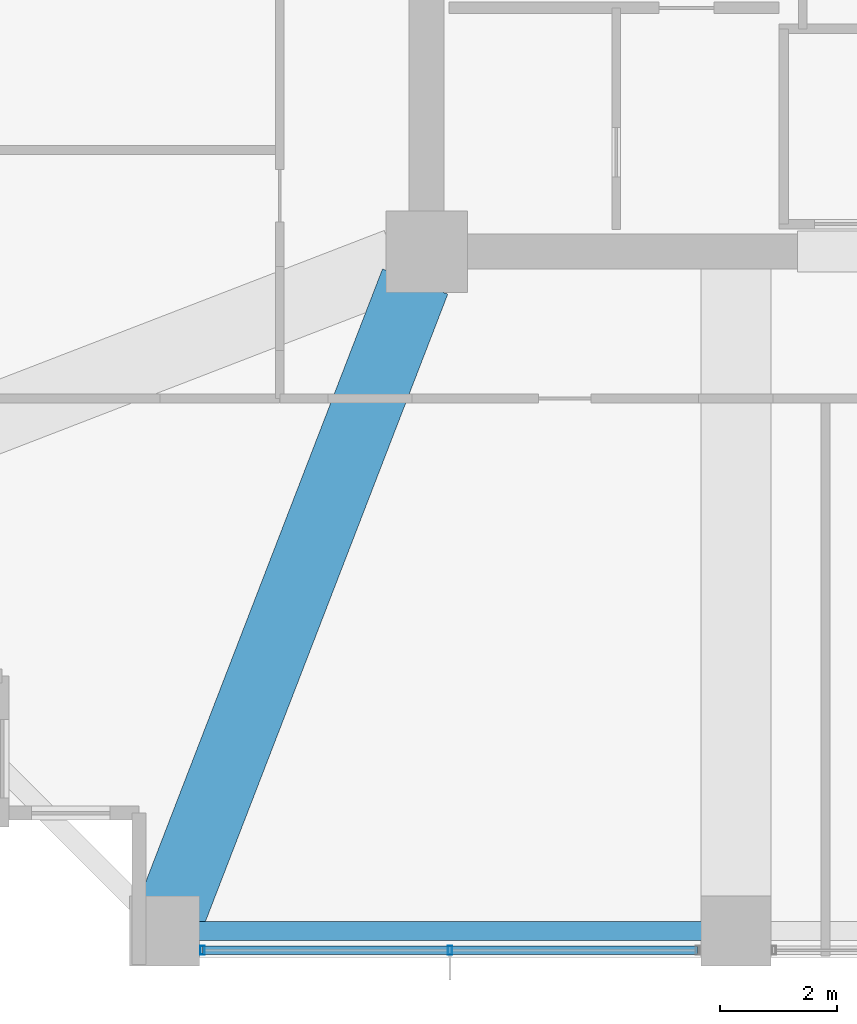
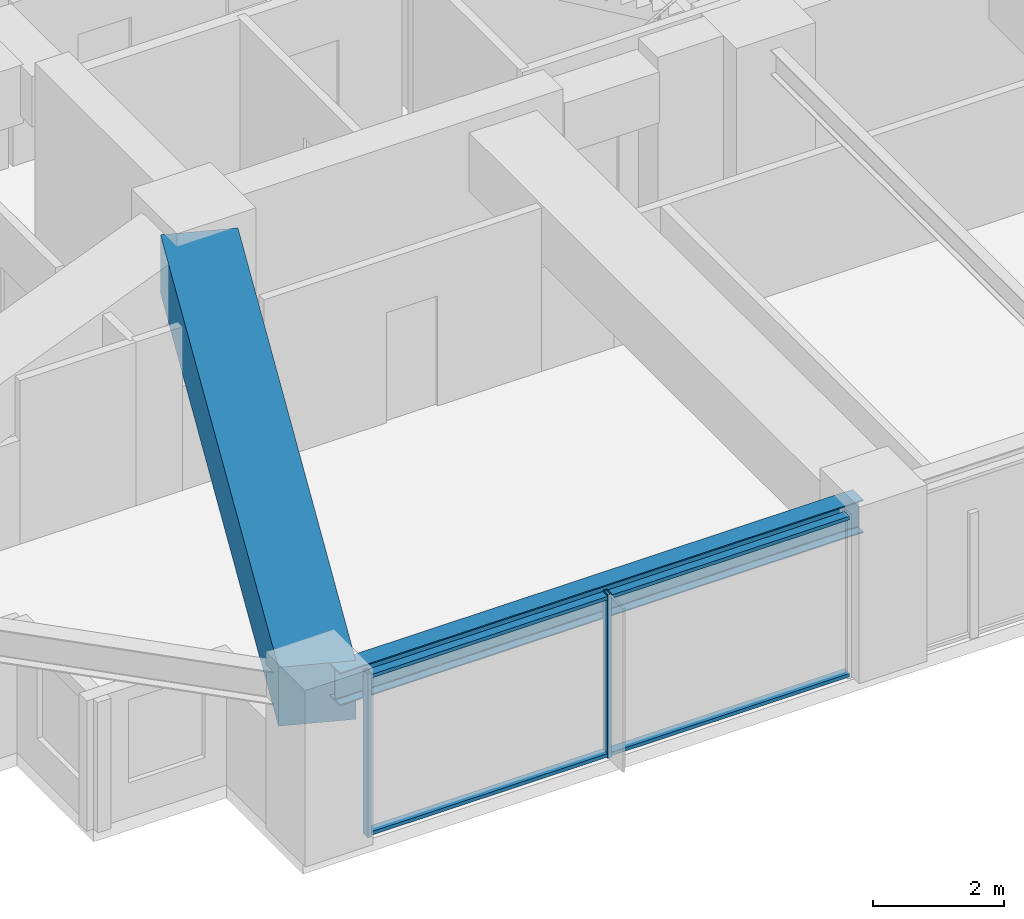
# One storey, part 2 of 39: 4 members, 2 beams, 1 element without a shape of its own.
"""IFC4 building model written with IfcOpenShell, lengths in metres."""

from ifc_helpers import new_model, si_unit, direction, frame, origin, origin_2d, place, context, subcontext, project, spatial, rectangle, hollow_rectangle, i_section, extrude, material, material_profile, profile_set, type_object, element, aggregate, save


model = new_model("IFC4")

# Units and contexts
model_context = context("Model", 3, precision=1e-05, world=origin(), true_north=direction((0.0, 1.0)))
body_context = subcontext(model_context, "Body", "Model", "MODEL_VIEW")
ifc_project = project(units=[si_unit("LENGTHUNIT", "METRE"), si_unit("AREAUNIT", "SQUARE_METRE"), si_unit("VOLUMEUNIT", "CUBIC_METRE"), si_unit("PLANEANGLEUNIT", "RADIAN"), si_unit("MASSUNIT", "GRAM", prefix="KILO")], contexts=[model_context])

# Site, building, storey
site_placement = place(None, origin())
site = spatial("IfcSite", under=ifc_project, at=site_placement, CompositionType="ELEMENT")
building_placement = place(site_placement, origin())
building = spatial("IfcBuilding", under=site, at=building_placement, Name="Kolvaren Belvedere", CompositionType="ELEMENT")
storey_placement = place(building_placement, frame((0.0, 0.0, 33.699951171875)))
storey = spatial("IfcBuildingStorey", under=building, at=storey_placement, Name="L09", CompositionType="ELEMENT", Elevation=33.699951171875)

# Beams
ifc_material_1 = material(Name="Structural steel ASTM A992 Grade 50", Category="steel")
ifc_material_profile_1 = material_profile(ifc_material_1, i_section(OverallWidth=0.324951171875, OverallDepth=0.615966796875, WebThickness=0.013916015625, FlangeThickness=0.021484375, FilletRadius=0.02001953125, at=origin_2d()), Name="W24X117")
ifc_profile_set_1 = profile_set([ifc_material_profile_1], Name="Structural steel ASTM A992 Grade 50")
beam_type_1 = type_object("IfcBeamType", Name="BM-SPAN-W24X117", PredefinedType="SPANDREL", material=ifc_profile_set_1)
beam_1_placement = place(storey_placement, frame((-14.1298828125, -21.550048828125, 2.751953125), z_axis=(1.0, 0.0, 0.0), x_axis=(0.0, 1.0, 0.0)))
element("IfcBeam", 1, at=beam_1_placement, inside=storey, type_object=beam_type_1, Name="L09 Perimeter Spandrel S1-S2", PredefinedType="SPANDREL", context=body_context, shape_type="SweptSolid", body=[
    extrude(i_section(OverallWidth=0.324951171875, OverallDepth=0.615966796875, WebThickness=0.013916015625, FlangeThickness=0.021484375, FilletRadius=0.02001953125, at=origin_2d()), origin(), (0.0, 0.0, 1.0), 9.259765625),
])
ifc_material_2 = material(Name="Concrete C50/60", Category="concrete")
ifc_material_profile_2 = material_profile(ifc_material_2, rectangle(XDim=1.199951171875, YDim=1.10009765625, at=origin_2d()), Name="RC 1200X1100")
ifc_profile_set_2 = profile_set([ifc_material_profile_2], Name="Concrete C50/60")
beam_type_2 = type_object("IfcBeamType", Name="BM-TG-1100", PredefinedType="BEAM", material=ifc_profile_set_2)
beam_2_placement = place(storey_placement, frame((-10.09814453125, -10.4130859375, 2.510009765625), z_axis=(-0.360318391835, -0.932829382313, 0.0), x_axis=(0.932829382313, -0.360318391835, 0.0)))
element("IfcBeam", 2, at=beam_2_placement, inside=storey, type_object=beam_type_2, Name="L09 Corner Core-to-Perimeter Girder CC1-S1", PredefinedType="BEAM", context=body_context, shape_type="SweptSolid", body=[
    extrude(rectangle(XDim=1.199951171875, YDim=1.10009765625, at=origin_2d()), origin(), (0.0, 0.0, 1.0), 11.698974609375),
])

# Curtain wall, members
ifc_material_3 = material(Name="Anodised pale-metal aluminium AA 6063-T6", Category="aluminium")
curtain_wall_type = type_object("IfcCurtainWallType", Name="CW-Z1-LOW", PredefinedType="NOTDEFINED", material=ifc_material_3)
curtain_wall_placement = place(storey_placement, origin())
curtain_wall = element("IfcCurtainWall", 3, at=curtain_wall_placement, inside=storey, type_object=curtain_wall_type, Name="L09 Unitised Curtain Wall FCW-L09-S-B3", PredefinedType="NOTDEFINED")
ifc_material_4 = material(Name="Anodised pale-metal aluminium AA 6063-T6", Category="aluminium")
ifc_material_profile_3 = material_profile(ifc_material_4, hollow_rectangle(XDim=0.070068359375, YDim=0.14990234375, WallThickness=0.004150390625, at=origin_2d()), Name="ALU-MUL-150X70")
ifc_profile_set_3 = profile_set([ifc_material_profile_3], Name="Anodised pale-metal aluminium AA 6063-T6")
member_type_1 = type_object("IfcMemberType", Name="CW-MUL-150", PredefinedType="MULLION", material=ifc_profile_set_3)
member_1_placement = place(storey_placement, frame((-9.5, -21.8798828125, 0.0), z_axis=(0.0, 0.0, 1.0), x_axis=(1.0, 0.0, 0.0)))
member_1 = element("IfcMember", 4, at=member_1_placement, type_object=member_type_1, Name="FCW-L09-S-B3 Unitised Mullion 2", PredefinedType="MULLION", context=body_context, shape_type="SweptSolid", body=[
    extrude(hollow_rectangle(XDim=0.070068359375, YDim=0.14990234375, WallThickness=0.004150390625, at=origin_2d()), origin(), (0.0, 0.0, 1.0), 3.06005859375),
])
member_2_placement = place(storey_placement, frame((-13.7451171875, -21.8798828125, 0.0), z_axis=(0.0, 0.0, 1.0), x_axis=(1.0, 0.0, 0.0)))
member_2 = element("IfcMember", 5, at=member_2_placement, type_object=member_type_1, Name="FCW-L09-S-B3 Unitised Mullion 3", PredefinedType="MULLION", context=body_context, shape_type="SweptSolid", body=[
    extrude(hollow_rectangle(XDim=0.070068359375, YDim=0.14990234375, WallThickness=0.004150390625, at=origin_2d()), origin(), (0.0, 0.0, 1.0), 3.06005859375),
])
ifc_material_5 = material(Name="Anodised pale-metal aluminium AA 6063-T6", Category="aluminium")
ifc_material_profile_4 = material_profile(ifc_material_5, hollow_rectangle(XDim=0.06494140625, YDim=0.14990234375, WallThickness=0.00390625, at=origin_2d()), Name="ALU-TRN-150X65")
ifc_profile_set_4 = profile_set([ifc_material_profile_4], Name="Anodised pale-metal aluminium AA 6063-T6")
member_type_2 = type_object("IfcMemberType", Name="CW-TRN-150", PredefinedType="USERDEFINED", material=ifc_profile_set_4)
member_3_placement = place(storey_placement, frame((-5.2548828125, -21.8798828125, 0.06005859375), z_axis=(-1.0, 0.0, 0.0), x_axis=(0.0, 0.0, 1.0)))
member_3 = element("IfcMember", 6, at=member_3_placement, type_object=member_type_2, Name="FCW-L09-S-B3 Sill Transom", ObjectType="TRANSOM", PredefinedType="USERDEFINED", context=body_context, shape_type="SweptSolid", body=[
    extrude(hollow_rectangle(XDim=0.06494140625, YDim=0.14990234375, WallThickness=0.00390625, at=origin_2d()), origin(), (0.0, 0.0, 1.0), 8.490234375),
])
member_4_placement = place(storey_placement, frame((-5.2548828125, -21.8798828125, 3.0), z_axis=(-1.0, 0.0, 0.0), x_axis=(0.0, 0.0, 1.0)))
member_4 = element("IfcMember", 7, at=member_4_placement, type_object=member_type_2, Name="FCW-L09-S-B3 Head Transom", ObjectType="TRANSOM", PredefinedType="USERDEFINED", context=body_context, shape_type="SweptSolid", body=[
    extrude(hollow_rectangle(XDim=0.06494140625, YDim=0.14990234375, WallThickness=0.00390625, at=origin_2d()), origin(), (0.0, 0.0, 1.0), 8.490234375),
])
aggregate(curtain_wall, [member_1, member_2, member_3, member_4])

save(model, "model.ifc")
